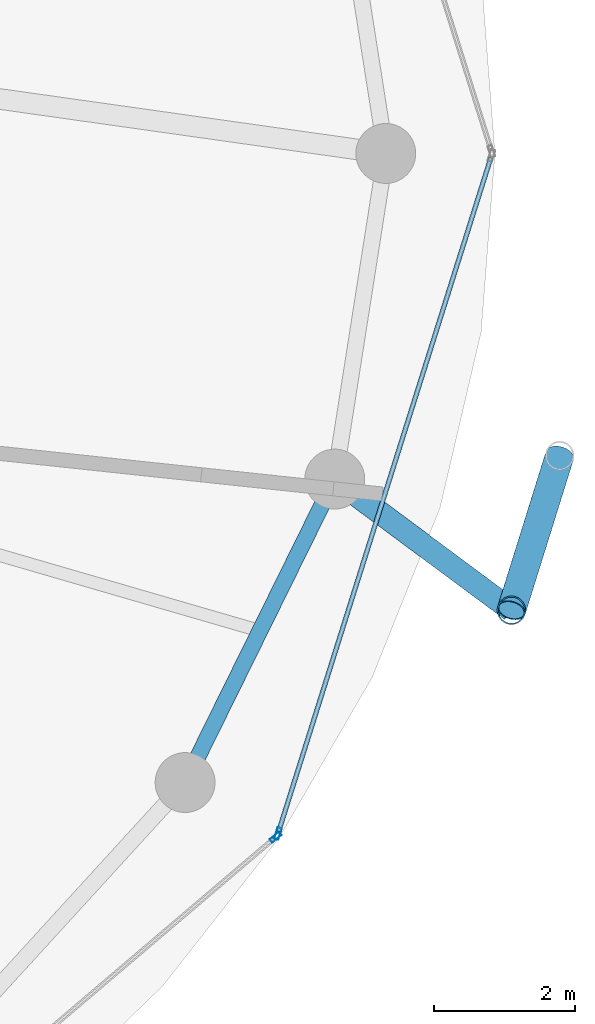
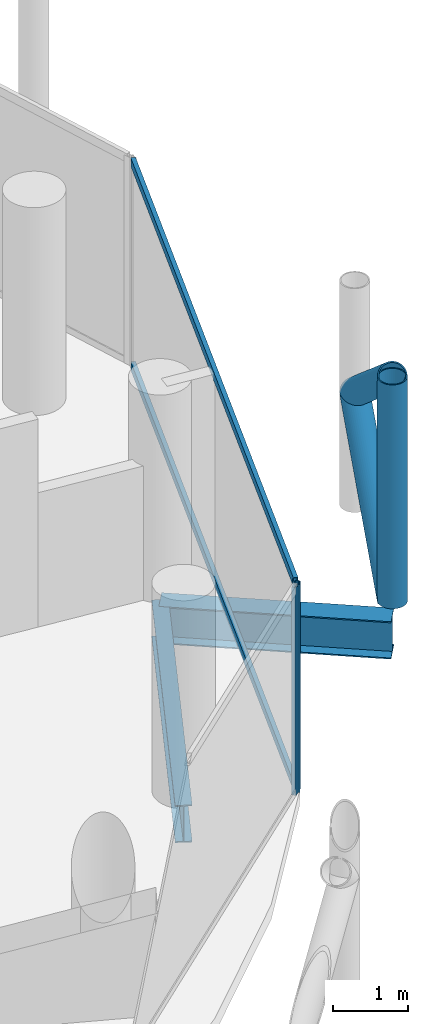
# One storey, part 13 of 27: 7 members, 2 beams, 2 elements without a shape of their own.
"""IFC4 building model written with IfcOpenShell, lengths in metres."""

from ifc_helpers import new_model, si_unit, direction, frame, origin, origin_2d, place, context, subcontext, project, spatial, hollow_rectangle, hollow_circle, i_section, extrude, material, layer, layer_set, material_profile, profile_set, type_object, element, aggregate, save


model = new_model("IFC4")

# Units and contexts
model_context = context("Model", 3, precision=1e-05, world=origin(), true_north=direction((0.0, 1.0)))
body_context = subcontext(model_context, "Body", "Model", "MODEL_VIEW")
ifc_project = project(units=[si_unit("LENGTHUNIT", "METRE"), si_unit("AREAUNIT", "SQUARE_METRE"), si_unit("VOLUMEUNIT", "CUBIC_METRE"), si_unit("PLANEANGLEUNIT", "RADIAN"), si_unit("MASSUNIT", "GRAM", prefix="KILO")], contexts=[model_context])

# Site, building, storey
site_placement = place(None, origin())
site = spatial("IfcSite", under=ifc_project, at=site_placement, CompositionType="ELEMENT")
building_placement = place(site_placement, origin())
building = spatial("IfcBuilding", under=site, at=building_placement, Name="Nuhasar Tower", CompositionType="ELEMENT")
storey_placement = place(building_placement, frame((0.0, 0.0, 251.949951171875)))
storey = spatial("IfcBuildingStorey", under=building, at=storey_placement, Name="L62", CompositionType="ELEMENT", Elevation=251.949951171875)

# Beams
ifc_material_1 = material(Name="Steel S355", Category="steel")
ifc_material_profile_1 = material_profile(ifc_material_1, i_section(OverallWidth=0.22802734375, OverallDepth=0.60791015625, WebThickness=0.01123046875, FlangeThickness=0.017333984375, at=origin_2d()), Name="W24X76")
ifc_profile_set_1 = profile_set([ifc_material_profile_1], Name="Steel S355")
beam_type_1 = type_object("IfcBeamType", Name="BM-RING-W24X76", PredefinedType="SPANDREL", material=ifc_profile_set_1)
beam_1_placement = place(storey_placement, frame((57.403076171875, 17.875, -0.5439453125), z_axis=(0.442262779282, 0.896885518928, 0.0), x_axis=(-0.896885518928, 0.442262779282, 0.0)))
element("IfcBeam", 1, at=beam_1_placement, inside=storey, type_object=beam_type_1, Name="L62 Perimeter Ring Spandrel 23", PredefinedType="SPANDREL", context=body_context, shape_type="SweptSolid", body=[
    extrude(i_section(OverallWidth=0.22802734375, OverallDepth=0.60791015625, WebThickness=0.01123046875, FlangeThickness=0.017333984375, at=origin_2d()), origin(), (0.0, 0.0, 1.0), 4.7998046875),
])
ifc_material_profile_2 = material_profile(ifc_material_1, i_section(OverallWidth=0.323974609375, OverallDepth=0.611083984375, WebThickness=0.0126953125, FlangeThickness=0.01904296875, at=origin_2d()), Name="W24X104")
ifc_profile_set_2 = profile_set([ifc_material_profile_2], Name="Steel S355")
beam_type_2 = type_object("IfcBeamType", Name="BM-TIE-W24X104", PredefinedType="BEAM", material=ifc_profile_set_2)
beam_2_placement = place(storey_placement, frame((59.52587890625, 22.179931640625, -0.544921875), z_axis=(0.802983345014, -0.596001466131, 0.0), x_axis=(0.596001466131, 0.802983345014, 0.0)))
element("IfcBeam", 2, at=beam_2_placement, inside=storey, type_object=beam_type_2, Name="L62 Exoskeleton Node Tie Beam 12", PredefinedType="BEAM", context=body_context, shape_type="SweptSolid", body=[
    extrude(i_section(OverallWidth=0.323974609375, OverallDepth=0.611083984375, WebThickness=0.0126953125, FlangeThickness=0.01904296875, at=origin_2d()), origin(), (0.0, 0.0, 1.0), 3.122314453125),
])

# Curtain wall, member
ifc_material_2 = material(Name="Aluminium 6063-T6", Category="aluminium")
ifc_layer = layer(ifc_material_2, 0.18994140625)
ifc_layer_set = layer_set([ifc_layer], Name="Aluminium 6063-T6")
curtain_wall_type = type_object("IfcCurtainWallType", Name="CW-Z3-RES", PredefinedType="NOTDEFINED", material=ifc_layer_set)
curtain_wall_1_placement = place(storey_placement, origin())
curtain_wall_1 = element("IfcCurtainWall", 3, at=curtain_wall_1_placement, inside=storey, type_object=curtain_wall_type, Name="L62 Unitised Curtain Wall 11", PredefinedType="NOTDEFINED")
ifc_material_profile_3 = material_profile(ifc_material_2, hollow_rectangle(XDim=0.06494140625, YDim=0.169921875, WallThickness=0.0048828125, at=origin_2d()), Name="CWM-4")
ifc_profile_set_3 = profile_set([ifc_material_profile_3], Name="Aluminium 6063-T6")
member_type_1 = type_object("IfcMemberType", Name="CW-MUL-S4", PredefinedType="MULLION", material=ifc_profile_set_3)
member_1_placement = place(storey_placement, frame((58.686279296875, 17.098876953125, 0.0), z_axis=(0.0, 0.0, 1.0), x_axis=(-0.64789521578, 0.761729472562, 0.0)))
member_1 = element("IfcMember", 4, at=member_1_placement, type_object=member_type_1, Name="CW-Z3 mullion 2", PredefinedType="MULLION", context=body_context, shape_type="SweptSolid", body=[
    extrude(hollow_rectangle(XDim=0.06494140625, YDim=0.169921875, WallThickness=0.0048828125, at=origin_2d()), origin(), (0.0, 0.0, 1.0), 3.39013671875),
])
aggregate(curtain_wall_1, [member_1])

# Curtain wall, members
curtain_wall_2_placement = place(storey_placement, origin())
curtain_wall_2 = element("IfcCurtainWall", 5, at=curtain_wall_2_placement, inside=storey, type_object=curtain_wall_type, Name="L62 Unitised Curtain Wall 12", PredefinedType="NOTDEFINED")
member_2_placement = place(storey_placement, frame((58.720703125, 17.15087890625, 0.0), z_axis=(0.0, 0.0, 1.0), x_axis=(-0.95380429279, 0.30042864553, 0.0)))
member_2 = element("IfcMember", 6, at=member_2_placement, type_object=member_type_1, Name="CW-Z3 mullion 1", PredefinedType="MULLION", context=body_context, shape_type="SweptSolid", body=[
    extrude(hollow_rectangle(XDim=0.06494140625, YDim=0.169921875, WallThickness=0.0048828125, at=origin_2d()), origin(), (0.0, 0.0, 1.0), 3.39013671875),
])
ifc_material_profile_4 = material_profile(ifc_material_2, hollow_rectangle(XDim=0.06494140625, YDim=0.139892578125, WallThickness=0.00439453125, at=origin_2d()), Name="CWT-4")
ifc_profile_set_4 = profile_set([ifc_material_profile_4], Name="Aluminium 6063-T6")
member_type_2 = type_object("IfcMemberType", Name="CW-TRN-S4", PredefinedType="USERDEFINED", material=ifc_profile_set_4)
member_3_placement = place(storey_placement, frame((58.73046875, 17.181884765625, 0.032470703125), z_axis=(0.300430390604, 0.953803743126, 0.0), x_axis=(-0.953803743126, 0.300430390604, 0.0)))
member_3 = element("IfcMember", 7, at=member_3_placement, type_object=member_type_2, Name="CW-Z3 transom 1.1", ObjectType="TRANSOM", PredefinedType="USERDEFINED", context=body_context, shape_type="SweptSolid", body=[
    extrude(hollow_rectangle(XDim=0.06494140625, YDim=0.139892578125, WallThickness=0.00439453125, at=origin_2d()), origin(), (0.0, 0.0, 1.0), 10.01904296875),
])
member_4_placement = place(storey_placement, frame((58.73046875, 17.181884765625, 3.357666015625), z_axis=(0.300430390604, 0.953803743126, 0.0), x_axis=(-0.953803743126, 0.300430390604, 0.0)))
member_4 = element("IfcMember", 8, at=member_4_placement, type_object=member_type_2, Name="CW-Z3 transom 1.2", ObjectType="TRANSOM", PredefinedType="USERDEFINED", context=body_context, shape_type="SweptSolid", body=[
    extrude(hollow_rectangle(XDim=0.06494140625, YDim=0.139892578125, WallThickness=0.00439453125, at=origin_2d()), origin(), (0.0, 0.0, 1.0), 10.01904296875),
])
aggregate(curtain_wall_2, [member_2, member_3, member_4])

# Members
ifc_material_3 = material(Name="Steel S460", Category="steel")
ifc_material_profile_5 = material_profile(ifc_material_3, hollow_circle(Radius=0.203125, WallThickness=0.01904296875, at=origin_2d()), Name="HSS406.4X19.1")
ifc_profile_set_5 = profile_set([ifc_material_profile_5], Name="Steel S460")
member_type_3 = type_object("IfcMemberType", Name="EXO-BRONZE-406", PredefinedType="BRACE", material=ifc_profile_set_5)
member_5_placement = place(storey_placement, frame((62.032958984375, 20.319091796875, 0.0), z_axis=(0.0, 0.0, 1.0), x_axis=(1.0, 0.0, 0.0)))
element("IfcMember", 9, at=member_5_placement, inside=storey, type_object=member_type_3, Name="L62 Exoskeleton Chord Column EC-12A", PredefinedType="BRACE", context=body_context, shape_type="SweptSolid", body=[
    extrude(hollow_circle(Radius=0.203125, WallThickness=0.01904296875, at=origin_2d()), origin(), (0.0, 0.0, 1.0), 3.650146484375),
])
for number, where, z_axis, x_axis, name in (
    (10, (62.032958984375, 20.319091796875, 0.0), (0.233372423355, 0.747689980743, 0.621688832709), (-0.954581948223, 0.297948492404, 0.0), "L62 Bronze Diagrid Brace W1-12"),
    (11, (62.718017578125, 22.513916015625, 1.824951171875), (-0.233360356896, -0.747651321632, 0.621739853228), (0.954581948223, -0.297948492404, 0.0), "L62 Bronze Diagrid Brace W2-12"),
):
    element("IfcMember", number, at=place(storey_placement, frame(where, z_axis=z_axis, x_axis=x_axis)), inside=storey, type_object=member_type_3, Name=name, PredefinedType="BRACE", context=body_context, shape_type="SweptSolid", body=[
        extrude(hollow_circle(Radius=0.203125, WallThickness=0.01904296875, at=origin_2d()), origin(), (0.0, 0.0, 1.0), 2.935546875),
    ])

save(model, "model.ifc")
